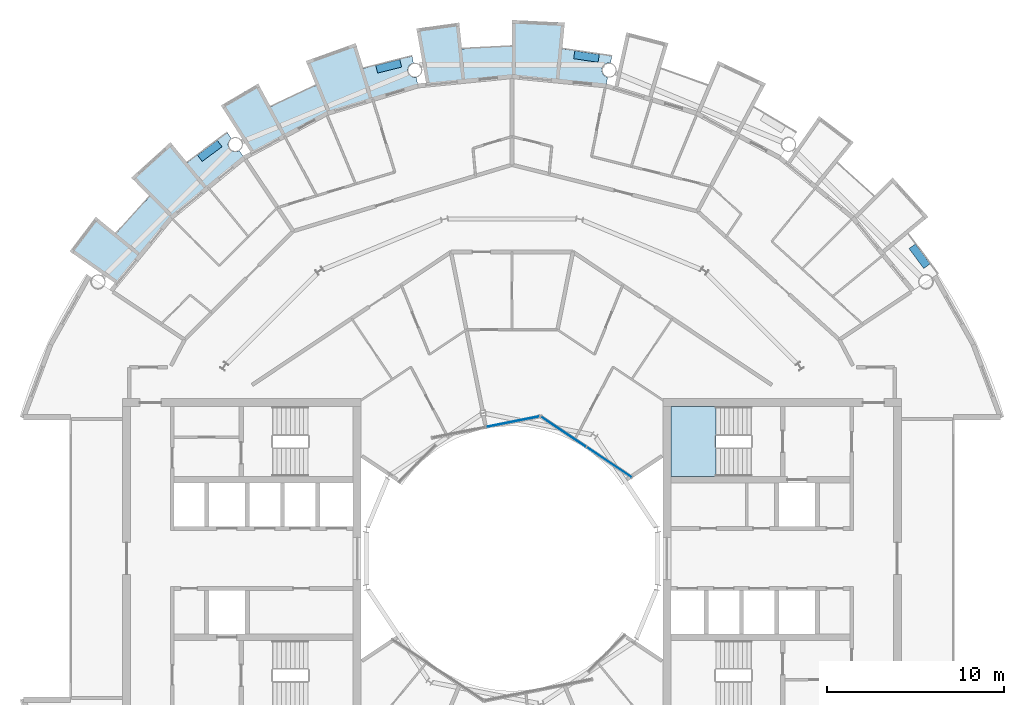
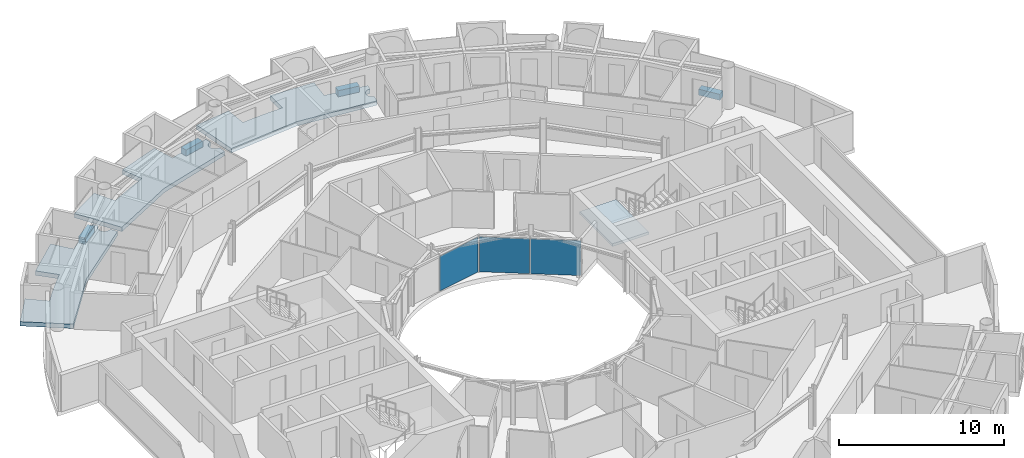
# One storey, part 13 of 28: 8 slabs, 3 plates, 3 elements without a shape of their own.
"""IFC4 building model written with IfcOpenShell, lengths in metres."""

from ifc_helpers import new_model, si_unit, direction, frame, origin, origin_2d, place, context, subcontext, project, spatial, polyline, rectangle, outline, extrude, material, layer, layer_set, type_object, element, aggregate, save


model = new_model("IFC4")

# Units and contexts
model_context = context("Model", 3, precision=1e-05, world=origin(), true_north=direction((0.0, 1.0)))
body_context = subcontext(model_context, "Body", "Model", "MODEL_VIEW")
ifc_project = project(units=[si_unit("LENGTHUNIT", "METRE"), si_unit("AREAUNIT", "SQUARE_METRE"), si_unit("VOLUMEUNIT", "CUBIC_METRE"), si_unit("PLANEANGLEUNIT", "RADIAN"), si_unit("MASSUNIT", "GRAM", prefix="KILO")], contexts=[model_context])

# Site, building, storey
site_placement = place(None, origin())
site = spatial("IfcSite", under=ifc_project, at=site_placement, CompositionType="ELEMENT")
building_placement = place(site_placement, origin())
building = spatial("IfcBuilding", under=site, at=building_placement, Name="Maasbend Ring Residences", CompositionType="ELEMENT")
storey_placement = place(building_placement, frame((0.0, 0.0, 196.300048828125)))
storey = spatial("IfcBuildingStorey", under=building, at=storey_placement, Name="L56", CompositionType="ELEMENT", Elevation=196.300048828125)

# Stair, slab
ifc_material_1 = material(Name="Concrete C40/50", Category="concrete")
stair_type = type_object("IfcStairType", Name="CORE STAIR 18 RISERS", PredefinedType="HALF_TURN_STAIR", material=ifc_material_1)
stair_placement = place(storey_placement, origin())
stair = element("IfcStair", 1, at=stair_placement, inside=storey, type_object=stair_type, Name="L56 Exit stair ST-E1", PredefinedType="HALF_TURN_STAIR")
ifc_material_2 = material(Name="Concrete C40/50", Category="concrete")
ifc_layer_1 = layer(ifc_material_2, 0.199951171875)
ifc_layer_set_1 = layer_set([ifc_layer_1], Name="Concrete C40/50")
slab_type_1 = type_object("IfcSlabType", Name="CORE STAIR LANDING 200", PredefinedType="LANDING", material=ifc_layer_set_1)
slab_1_placement = place(storey_placement, frame((0.0, 0.0, 1.324951171875)))
slab_1 = element("IfcSlab", 2, at=slab_1_placement, type_object=slab_type_1, Name="ST-E1 landing 1", PredefinedType="LANDING", context=body_context, shape_type="SweptSolid", body=[
    extrude(outline(polyline([(11.550048828125, 8.60009765625), (9.0, 8.60009765625), (9.0, 4.64990234375), (11.550048828125, 4.64990234375), (11.550048828125, 8.60009765625)])), origin(), (0.0, 0.0, 1.0), 0.199951171875),
])
aggregate(stair, [slab_1])

# Curtain wall, plates
ifc_material_3 = material(Name="Aluminium and clear glass", Category="aluminium")
ifc_layer_2 = layer(ifc_material_3, 0.179931640625)
ifc_layer_set_2 = layer_set([ifc_layer_2], Name="CW-W")
curtain_wall_type = type_object("IfcCurtainWallType", Name="CW-W", PredefinedType="NOTDEFINED", material=ifc_layer_set_2)
curtain_wall_1_placement = place(storey_placement, origin())
curtain_wall_1 = element("IfcCurtainWall", 3, at=curtain_wall_1_placement, inside=storey, type_object=curtain_wall_type, Name="Well curtain wall N1", PredefinedType="NOTDEFINED")
ifc_material_4 = material(Name="Glass clear laminated", Category="glass")
ifc_layer_3 = layer(ifc_material_4, 0.031982421875)
ifc_layer_set_3 = layer_set([ifc_layer_3], Name="CWP-W")
plate_type = type_object("IfcPlateType", Name="CWP-W", PredefinedType="CURTAIN_PANEL", material=ifc_layer_set_3)
plate_1_placement = place(storey_placement, frame((5.51123046875, 5.44580078125, 0.0), z_axis=(0.0, 0.0, 1.0), x_axis=(-0.831469612303, 0.55557023302, 0.0)))
plate_1 = element("IfcPlate", 4, at=plate_1_placement, type_object=plate_type, Name="Glass panel well face", PredefinedType="CURTAIN_PANEL", context=body_context, shape_type="SweptSolid", body=[
    extrude(rectangle(XDim=3.053955078125, YDim=0.031982421875, at=origin_2d()), origin(), (0.0, 0.0, 1.0), 2.580078125),
])
plate_2_placement = place(storey_placement, frame((2.922119140625, 7.17578125, 0.0), z_axis=(0.0, 0.0, 1.0), x_axis=(-0.831469612303, 0.55557023302, 0.0)))
plate_2 = element("IfcPlate", 5, at=plate_2_placement, type_object=plate_type, Name="Glass panel well face", PredefinedType="CURTAIN_PANEL", context=body_context, shape_type="SweptSolid", body=[
    extrude(rectangle(XDim=3.053955078125, YDim=0.031982421875, at=origin_2d()), origin(), (0.0, 0.0, 1.0), 2.580078125),
])
aggregate(curtain_wall_1, [plate_1, plate_2])

# Curtain wall, plate
curtain_wall_2_placement = place(storey_placement, origin())
curtain_wall_2 = element("IfcCurtainWall", 6, at=curtain_wall_2_placement, inside=storey, type_object=curtain_wall_type, Name="Well curtain wall N2", PredefinedType="NOTDEFINED")
plate_3_placement = place(storey_placement, frame((0.04638671875, 7.747802734375, 0.0), z_axis=(0.0, 0.0, 1.0), x_axis=(-0.980785280403, -0.195090322016, 0.0)))
plate_3 = element("IfcPlate", 7, at=plate_3_placement, type_object=plate_type, Name="Glass panel well face", PredefinedType="CURTAIN_PANEL", context=body_context, shape_type="SweptSolid", body=[
    extrude(rectangle(XDim=3.053955078125, YDim=0.031982421875, at=origin_2d()), origin(), (0.0, 0.0, 1.0), 2.580078125),
])
aggregate(curtain_wall_2, [plate_3])

# Slabs
ifc_material_5 = material(Name="Planting with climbing greenery")
ifc_layer_4 = layer(ifc_material_5, 0.449951171875)
ifc_layer_set_4 = layer_set([ifc_layer_4], Name="PLANTER-LG")
slab_type_2 = type_object("IfcSlabType", Name="PLANTER-LG", PredefinedType="USERDEFINED", material=ifc_layer_set_4)
slab_2_placement = place(storey_placement, frame((0.0, 0.0, -0.030029296875)))
element("IfcSlab", 8, at=slab_2_placement, inside=storey, type_object=slab_type_2, Name="Planter with climbing greenery 1", ObjectType="PLANTER", PredefinedType="USERDEFINED", context=body_context, shape_type="SweptSolid", body=[
    extrude(outline(polyline([(23.681884765625, 16.69189453125), (22.847900390625, 17.81689453125), (22.487060546875, 17.549072265625), (23.321044921875, 16.424072265625), (23.681884765625, 16.69189453125)])), origin(), (0.0, 0.0, 1.0), 0.449951171875),
])
slab_3_placement = place(storey_placement, frame((0.0, 0.0, -0.030029296875)))
element("IfcSlab", 9, at=slab_3_placement, inside=storey, type_object=slab_type_2, Name="Planter with climbing greenery 3", ObjectType="PLANTER", PredefinedType="USERDEFINED", context=body_context, shape_type="SweptSolid", body=[
    extrude(outline(polyline([(4.94189453125, 28.549072265625), (3.55810546875, 28.75390625), (3.491943359375, 28.30908203125), (4.8759765625, 28.10400390625), (4.94189453125, 28.549072265625)])), origin(), (0.0, 0.0, 1.0), 0.449951171875),
])
slab_4_placement = place(storey_placement, frame((0.0, 0.0, -0.030029296875)))
element("IfcSlab", 10, at=slab_4_placement, inside=storey, type_object=slab_type_2, Name="Planter with climbing greenery 4", ObjectType="PLANTER", PredefinedType="USERDEFINED", context=body_context, shape_type="SweptSolid", body=[
    extrude(outline(polyline([(-6.35888671875, 28.26708984375), (-7.717041015625, 27.927001953125), (-7.60791015625, 27.489990234375), (-6.25, 27.8310546875), (-6.35888671875, 28.26708984375)])), origin(), (0.0, 0.0, 1.0), 0.449951171875),
])
slab_5_placement = place(storey_placement, frame((0.0, 0.0, -0.030029296875)))
element("IfcSlab", 11, at=slab_5_placement, inside=storey, type_object=slab_type_2, Name="Planter with climbing greenery 5", ObjectType="PLANTER", PredefinedType="USERDEFINED", context=body_context, shape_type="SweptSolid", body=[
    extrude(outline(polyline([(-16.69189453125, 23.681884765625), (-17.81689453125, 22.847900390625), (-17.549072265625, 22.487060546875), (-16.424072265625, 23.321044921875), (-16.69189453125, 23.681884765625)])), origin(), (0.0, 0.0, 1.0), 0.449951171875),
])
ifc_material_6 = material(Name="Concrete C40/50", Category="concrete")
ifc_layer_5 = layer(ifc_material_6, 0.199951171875)
ifc_layer_set_5 = layer_set([ifc_layer_5], Name="Concrete C40/50")
slab_type_3 = type_object("IfcSlabType", Name="SL-LOGGIA", PredefinedType="FLOOR", material=ifc_layer_set_5)
slab_6_placement = place(storey_placement, frame((0.0, 0.0, -0.35009765625)))
element("IfcSlab", 12, at=slab_6_placement, inside=storey, type_object=slab_type_3, Name="Loggia floor 2", PredefinedType="FLOOR", context=body_context, shape_type="SweptSolid", body=[
    extrude(outline(polyline([(-13.6708984375, 25.575927734375), (-13.6708984375, 25.575927734375), (-13.6708984375, 25.575927734375), (-13.6708984375, 25.575927734375), (-13.6708984375, 25.575927734375), (-13.6708984375, 25.575927734375), (-13.6708984375, 25.575927734375), (-13.669921875, 25.575927734375), (-13.669921875, 25.575927734375), (-13.669921875, 25.575927734375), (-13.669921875, 25.575927734375), (-13.669921875, 25.575927734375), (-13.669921875, 25.575927734375), (-13.669921875, 25.575927734375), (-13.669921875, 25.575927734375), (-13.669921875, 25.575927734375), (-13.669921875, 25.575927734375), (-12.825927734375, 26.009033203125), (-12.825927734375, 26.009033203125), (-11.968994140625, 26.4150390625), (-11.968994140625, 26.4150390625), (-11.097900390625, 26.7919921875), (-11.097900390625, 26.7919921875), (-11.097900390625, 26.7919921875), (-11.097900390625, 26.7919921875), (-11.097900390625, 26.7919921875), (-11.097900390625, 26.7919921875), (-11.097900390625, 26.7919921875), (-11.097900390625, 26.79296875), (-11.097900390625, 26.79296875), (-11.097900390625, 26.79296875), (-11.097900390625, 26.79296875), (-11.097900390625, 26.79296875), (-11.097900390625, 26.79296875), (-11.097900390625, 26.79296875), (-11.097900390625, 26.79296875), (-11.097900390625, 26.79296875), (-11.097900390625, 26.79296875), (-11.672119140625, 28.177978515625), (-11.672119140625, 28.177978515625), (-11.672119140625, 28.177978515625), (-8.85400390625, 29.18701171875), (-8.85400390625, 29.18701171875), (-8.85400390625, 29.18701171875), (-8.41796875, 27.751953125), (-8.41796875, 27.751953125), (-8.41796875, 27.751953125), (-8.41796875, 27.751953125), (-8.41796875, 27.751953125), (-8.41796875, 27.751953125), (-8.41796875, 27.751953125), (-8.41796875, 27.7509765625), (-8.41796875, 27.7509765625), (-8.41796875, 27.7509765625), (-8.41796875, 27.7509765625), (-8.41796875, 27.7509765625), (-8.41796875, 27.7509765625), (-8.41796875, 27.7509765625), (-8.41796875, 27.7509765625), (-8.41796875, 27.7509765625), (-8.41796875, 27.7509765625), (-7.506103515625, 28.011962890625), (-7.506103515625, 28.011962890625), (-6.5849609375, 28.241943359375), (-6.5849609375, 28.241943359375), (-5.657958984375, 28.443115234375), (-5.657958984375, 28.443115234375), (-5.657958984375, 28.443115234375), (-5.5810546875, 28.056884765625), (-5.591064453125, 28.054931640625), (-5.60009765625, 28.052001953125), (-5.610107421875, 28.050048828125), (-5.6201171875, 28.047119140625), (-5.62890625, 28.0439453125), (-5.637939453125, 28.041015625), (-5.64794921875, 28.037109375), (-5.656982421875, 28.033935546875), (-5.666015625, 28.030029296875), (-5.675048828125, 28.02587890625), (-5.68408203125, 28.02099609375), (-5.693115234375, 28.01708984375), (-5.701904296875, 28.011962890625), (-5.7099609375, 28.007080078125), (-5.718994140625, 28.001953125), (-5.72705078125, 27.99609375), (-5.736083984375, 27.989990234375), (-5.743896484375, 27.985107421875), (-5.751953125, 27.97900390625), (-5.759033203125, 27.971923828125), (-5.76708984375, 27.966064453125), (-5.77392578125, 27.958984375), (-5.781982421875, 27.952880859375), (-5.7890625, 27.946044921875), (-5.7958984375, 27.93798828125), (-5.802978515625, 27.930908203125), (-5.80908203125, 27.924072265625), (-5.81591796875, 27.916015625), (-5.822021484375, 27.907958984375), (-5.827880859375, 27.89990234375), (-5.833984375, 27.89208984375), (-5.839111328125, 27.884033203125), (-5.844970703125, 27.8759765625), (-5.85009765625, 27.866943359375), (-5.85498046875, 27.85791015625), (-5.860107421875, 27.85009765625), (-5.864990234375, 27.841064453125), (-5.868896484375, 27.83203125), (-5.873046875, 27.822998046875), (-5.876953125, 27.81396484375), (-5.881103515625, 27.803955078125), (-5.884033203125, 27.794921875), (-5.886962890625, 27.785888671875), (-5.889892578125, 27.77587890625), (-5.89306640625, 27.76708984375), (-5.89599609375, 27.757080078125), (-5.89794921875, 27.7470703125), (-5.89990234375, 27.737060546875), (-5.902099609375, 27.72802734375), (-5.904052734375, 27.718017578125), (-5.905029296875, 27.7080078125), (-5.906005859375, 27.697998046875), (-5.906982421875, 27.68798828125), (-5.907958984375, 27.677978515625), (-5.907958984375, 27.66796875), (-5.907958984375, 27.657958984375), (-5.907958984375, 27.64794921875), (-5.907958984375, 27.637939453125), (-5.906982421875, 27.6279296875), (-5.906005859375, 27.617919921875), (-5.905029296875, 27.60791015625), (-5.904052734375, 27.597900390625), (-5.902099609375, 27.589111328125), (-5.89990234375, 27.5791015625), (-5.89794921875, 27.569091796875), (-5.89599609375, 27.55908203125), (-5.89306640625, 27.550048828125), (-5.889892578125, 27.5400390625), (-5.886962890625, 27.531005859375), (-5.884033203125, 27.52099609375), (-5.881103515625, 27.511962890625), (-5.876953125, 27.5029296875), (-5.873046875, 27.492919921875), (-5.868896484375, 27.48388671875), (-5.864990234375, 27.47509765625), (-5.860107421875, 27.466064453125), (-5.85498046875, 27.4580078125), (-5.85009765625, 27.448974609375), (-5.844970703125, 27.44091796875), (-5.839111328125, 27.431884765625), (-5.833984375, 27.424072265625), (-5.827880859375, 27.416015625), (-5.822021484375, 27.407958984375), (-5.81591796875, 27.39990234375), (-5.80908203125, 27.39306640625), (-5.802978515625, 27.385009765625), (-5.7958984375, 27.3779296875), (-5.7890625, 27.37109375), (-5.781982421875, 27.364013671875), (-5.77392578125, 27.35693359375), (-5.76708984375, 27.35009765625), (-5.759033203125, 27.343994140625), (-5.751953125, 27.337890625), (-5.743896484375, 27.33203125), (-5.736083984375, 27.325927734375), (-5.72705078125, 27.320068359375), (-5.718994140625, 27.31494140625), (-5.7099609375, 27.30908203125), (-5.701904296875, 27.303955078125), (-5.693115234375, 27.300048828125), (-5.68408203125, 27.294921875), (-5.675048828125, 27.291015625), (-5.666015625, 27.285888671875), (-5.656982421875, 27.282958984375), (-5.64794921875, 27.279052734375), (-5.637939453125, 27.27490234375), (-5.62890625, 27.27197265625), (-5.6201171875, 27.26904296875), (-5.610107421875, 27.26611328125), (-5.60009765625, 27.263916015625), (-5.591064453125, 27.260986328125), (-5.5810546875, 27.259033203125), (-5.571044921875, 27.258056640625), (-5.56103515625, 27.256103515625), (-5.551025390625, 27.2548828125), (-5.541015625, 27.25390625), (-5.531005859375, 27.2529296875), (-5.52099609375, 27.251953125), (-5.510986328125, 27.251953125), (-5.501953125, 27.251953125), (-5.491943359375, 27.251953125), (-5.48193359375, 27.251953125), (-5.471923828125, 27.2529296875), (-5.4619140625, 27.25390625), (-5.451904296875, 27.2548828125), (-5.44189453125, 27.256103515625), (-5.431884765625, 27.258056640625), (-5.422119140625, 27.259033203125), (-5.325927734375, 26.77490234375), (-5.325927734375, 26.77490234375), (-5.325927734375, 26.77490234375), (-7.886962890625, 25.9990234375), (-10.447021484375, 25.221923828125), (-10.447021484375, 25.221923828125), (-10.447021484375, 25.221923828125), (-12.806884765625, 23.9609375), (-14.73291015625, 22.930908203125), (-14.73291015625, 22.930908203125), (-14.73291015625, 22.930908203125), (-16.487060546875, 25.659912109375), (-16.487060546875, 25.659912109375), (-16.487060546875, 25.659912109375), (-14.3779296875, 26.89892578125), (-14.3779296875, 26.89892578125), (-14.3779296875, 26.89892578125), (-13.6708984375, 25.575927734375)])), origin(), (0.0, 0.0, 1.0), 0.320068359375),
])
slab_7_placement = place(storey_placement, frame((0.0, 0.0, -0.35009765625)))
element("IfcSlab", 13, at=slab_7_placement, inside=storey, type_object=slab_type_3, Name="Loggia floor 3", PredefinedType="FLOOR", context=body_context, shape_type="SweptSolid", body=[
    extrude(outline(polyline([(-2.843017578125, 28.861083984375), (-2.843017578125, 28.861083984375), (-2.843017578125, 28.861083984375), (-2.843017578125, 28.861083984375), (-2.842041015625, 28.861083984375), (-2.842041015625, 28.861083984375), (-2.842041015625, 28.861083984375), (-2.842041015625, 28.861083984375), (-2.842041015625, 28.861083984375), (-2.842041015625, 28.860107421875), (-2.842041015625, 28.860107421875), (-2.842041015625, 28.860107421875), (-2.842041015625, 28.860107421875), (-2.842041015625, 28.860107421875), (-2.842041015625, 28.860107421875), (-2.842041015625, 28.860107421875), (-2.842041015625, 28.860107421875), (-1.89697265625, 28.93798828125), (-1.89697265625, 28.93798828125), (-0.948974609375, 28.98388671875), (-0.948974609375, 28.98388671875), (0.0, 29.0), (0.0, 29.0), (0.0, 29.0), (0.0, 29.0), (0.0, 29.0), (0.0, 29.0), (0.0, 29.0), (0.0, 29.0), (0.0, 29.0), (0.0, 29.0), (0.0, 29.0), (0.0, 29.0), (0.0, 29.0), (0.0, 29.0), (0.0, 29.0), (0.0, 29.0), (0.0, 29.0), (0.0, 30.5), (0.0, 30.5), (0.0, 30.5), (2.989990234375, 30.35302734375), (2.989990234375, 30.35302734375), (2.989990234375, 30.35302734375), (2.843017578125, 28.861083984375), (2.843017578125, 28.861083984375), (2.843017578125, 28.861083984375), (2.843017578125, 28.861083984375), (2.843017578125, 28.861083984375), (2.843017578125, 28.861083984375), (2.843017578125, 28.861083984375), (2.843017578125, 28.861083984375), (2.843017578125, 28.860107421875), (2.843017578125, 28.860107421875), (2.843017578125, 28.860107421875), (2.843017578125, 28.860107421875), (2.843017578125, 28.860107421875), (2.843017578125, 28.860107421875), (2.843017578125, 28.860107421875), (2.843017578125, 28.860107421875), (2.843017578125, 28.860107421875), (3.784912109375, 28.751953125), (3.784912109375, 28.751953125), (4.72412109375, 28.613037109375), (4.72412109375, 28.613037109375), (5.657958984375, 28.443115234375), (5.657958984375, 28.443115234375), (5.657958984375, 28.443115234375), (5.5810546875, 28.056884765625), (5.5810546875, 28.056884765625), (5.571044921875, 28.05908203125), (5.56103515625, 28.06005859375), (5.551025390625, 28.06201171875), (5.541015625, 28.06298828125), (5.531005859375, 28.06298828125), (5.52099609375, 28.06396484375), (5.510986328125, 28.06396484375), (5.501953125, 28.06494140625), (5.491943359375, 28.06396484375), (5.48193359375, 28.06396484375), (5.471923828125, 28.06298828125), (5.4619140625, 28.06298828125), (5.451904296875, 28.06201171875), (5.44189453125, 28.06005859375), (5.431884765625, 28.05908203125), (5.422119140625, 28.056884765625), (5.412109375, 28.054931640625), (5.403076171875, 28.052001953125), (5.39306640625, 28.050048828125), (5.383056640625, 28.047119140625), (5.3740234375, 28.0439453125), (5.364990234375, 28.041015625), (5.35498046875, 28.037109375), (5.345947265625, 28.033935546875), (5.3369140625, 28.030029296875), (5.327880859375, 28.02587890625), (5.319091796875, 28.02099609375), (5.31005859375, 28.01708984375), (5.301025390625, 28.011962890625), (5.29296875, 28.007080078125), (5.283935546875, 28.001953125), (5.27587890625, 27.99609375), (5.26708984375, 27.989990234375), (5.259033203125, 27.985107421875), (5.2509765625, 27.97900390625), (5.243896484375, 27.971923828125), (5.236083984375, 27.966064453125), (5.22900390625, 27.958984375), (5.220947265625, 27.952880859375), (5.214111328125, 27.946044921875), (5.20703125, 27.93798828125), (5.199951171875, 27.930908203125), (5.194091796875, 27.924072265625), (5.18701171875, 27.916015625), (5.180908203125, 27.907958984375), (5.175048828125, 27.89990234375), (5.1689453125, 27.89208984375), (5.1640625, 27.884033203125), (5.157958984375, 27.8759765625), (5.153076171875, 27.866943359375), (5.14794921875, 27.85791015625), (5.14306640625, 27.85009765625), (5.137939453125, 27.841064453125), (5.134033203125, 27.83203125), (5.1298828125, 27.822998046875), (5.1259765625, 27.81396484375), (5.1220703125, 27.803955078125), (5.118896484375, 27.794921875), (5.115966796875, 27.785888671875), (5.113037109375, 27.77587890625), (5.110107421875, 27.76708984375), (5.10693359375, 27.757080078125), (5.10498046875, 27.7470703125), (5.10302734375, 27.737060546875), (5.10107421875, 27.72802734375), (5.09912109375, 27.718017578125), (5.097900390625, 27.7080078125), (5.096923828125, 27.697998046875), (5.095947265625, 27.68798828125), (5.094970703125, 27.677978515625), (5.094970703125, 27.66796875), (5.094970703125, 27.657958984375), (5.094970703125, 27.64794921875), (5.094970703125, 27.637939453125), (5.095947265625, 27.6279296875), (5.096923828125, 27.617919921875), (5.097900390625, 27.60791015625), (5.09912109375, 27.597900390625), (5.10107421875, 27.589111328125), (5.10302734375, 27.5791015625), (5.10498046875, 27.569091796875), (5.10693359375, 27.55908203125), (5.110107421875, 27.550048828125), (5.113037109375, 27.5400390625), (5.115966796875, 27.531005859375), (5.118896484375, 27.52099609375), (5.1220703125, 27.511962890625), (5.1259765625, 27.5029296875), (5.1298828125, 27.492919921875), (5.134033203125, 27.48388671875), (5.137939453125, 27.47509765625), (5.14306640625, 27.466064453125), (5.14794921875, 27.4580078125), (5.153076171875, 27.448974609375), (5.157958984375, 27.44091796875), (5.1640625, 27.431884765625), (5.1689453125, 27.424072265625), (5.175048828125, 27.416015625), (5.180908203125, 27.407958984375), (5.18701171875, 27.39990234375), (5.194091796875, 27.39306640625), (5.199951171875, 27.385009765625), (5.20703125, 27.3779296875), (5.214111328125, 27.37109375), (5.220947265625, 27.364013671875), (5.22900390625, 27.35693359375), (5.236083984375, 27.35009765625), (5.243896484375, 27.343994140625), (5.2509765625, 27.337890625), (5.259033203125, 27.33203125), (5.26708984375, 27.325927734375), (5.27587890625, 27.320068359375), (5.283935546875, 27.31494140625), (5.29296875, 27.30908203125), (5.301025390625, 27.303955078125), (5.31005859375, 27.300048828125), (5.319091796875, 27.294921875), (5.327880859375, 27.291015625), (5.3369140625, 27.285888671875), (5.345947265625, 27.282958984375), (5.35498046875, 27.279052734375), (5.364990234375, 27.27490234375), (5.3740234375, 27.27197265625), (5.383056640625, 27.26904296875), (5.39306640625, 27.26611328125), (5.403076171875, 27.263916015625), (5.412109375, 27.260986328125), (5.422119140625, 27.259033203125), (5.422119140625, 27.259033203125), (5.325927734375, 26.77490234375), (5.325927734375, 26.77490234375), (5.325927734375, 26.77490234375), (2.6630859375, 27.0380859375), (0.0, 27.300048828125), (0.0, 27.300048828125), (0.0, 27.300048828125), (-2.6630859375, 27.0380859375), (-4.8359375, 26.823974609375), (-4.8359375, 26.823974609375), (-4.8359375, 26.823974609375), (-5.412109375, 30.01611328125), (-5.412109375, 30.01611328125), (-5.412109375, 30.01611328125), (-2.989990234375, 30.35302734375), (-2.989990234375, 30.35302734375), (-2.989990234375, 30.35302734375), (-2.843017578125, 28.861083984375)])), origin(), (0.0, 0.0, 1.0), 0.320068359375),
])
slab_8_placement = place(storey_placement, frame((0.0, 0.0, -0.35009765625)))
element("IfcSlab", 14, at=slab_8_placement, inside=storey, type_object=slab_type_3, Name="Loggia floor 5", PredefinedType="FLOOR", context=body_context, shape_type="SweptSolid", body=[
    extrude(outline(polyline([(-22.41796875, 18.39794921875), (-22.41796875, 18.39794921875), (-22.41796875, 18.39794921875), (-22.41796875, 18.39794921875), (-22.41796875, 18.39794921875), (-22.4169921875, 18.39794921875), (-22.4169921875, 18.39794921875), (-22.4169921875, 18.39794921875), (-22.4169921875, 18.39794921875), (-22.4169921875, 18.39794921875), (-22.4169921875, 18.39794921875), (-22.4169921875, 18.39794921875), (-22.4169921875, 18.39794921875), (-22.4169921875, 18.39794921875), (-22.4169921875, 18.39794921875), (-22.4169921875, 18.39794921875), (-22.4169921875, 18.39794921875), (-21.802978515625, 19.12109375), (-21.802978515625, 19.12109375), (-21.166015625, 19.823974609375), (-21.166015625, 19.823974609375), (-20.506103515625, 20.506103515625), (-20.506103515625, 20.506103515625), (-20.506103515625, 20.506103515625), (-20.506103515625, 20.506103515625), (-20.506103515625, 20.506103515625), (-20.506103515625, 20.506103515625), (-20.506103515625, 20.506103515625), (-20.506103515625, 20.506103515625), (-20.506103515625, 20.506103515625), (-20.506103515625, 20.506103515625), (-20.506103515625, 20.506103515625), (-20.506103515625, 20.506103515625), (-20.506103515625, 20.506103515625), (-20.506103515625, 20.506103515625), (-20.506103515625, 20.506103515625), (-20.506103515625, 20.506103515625), (-20.506103515625, 20.506103515625), (-21.56689453125, 21.56689453125), (-21.56689453125, 21.56689453125), (-21.56689453125, 21.56689453125), (-19.34912109375, 23.576904296875), (-19.34912109375, 23.576904296875), (-19.34912109375, 23.576904296875), (-18.39794921875, 22.41796875), (-18.39794921875, 22.41796875), (-18.39794921875, 22.41796875), (-18.39794921875, 22.41796875), (-18.39794921875, 22.41796875), (-18.39794921875, 22.41796875), (-18.39697265625, 22.41796875), (-18.39697265625, 22.41796875), (-18.39697265625, 22.41796875), (-18.39697265625, 22.41796875), (-18.39697265625, 22.41796875), (-18.39697265625, 22.41796875), (-18.39697265625, 22.41796875), (-18.39697265625, 22.41796875), (-18.39697265625, 22.41796875), (-18.39697265625, 22.41796875), (-18.39697265625, 22.41796875), (-17.654052734375, 23.007080078125), (-17.654052734375, 23.007080078125), (-16.89208984375, 23.572998046875), (-16.89208984375, 23.572998046875), (-16.112060546875, 24.113037109375), (-16.112060546875, 24.113037109375), (-16.112060546875, 24.113037109375), (-15.89306640625, 23.784912109375), (-15.89306640625, 23.784912109375), (-15.90087890625, 23.780029296875), (-15.908935546875, 23.77392578125), (-15.9169921875, 23.76806640625), (-15.925048828125, 23.761962890625), (-15.93310546875, 23.7548828125), (-15.93994140625, 23.7490234375), (-15.947021484375, 23.741943359375), (-15.955078125, 23.735107421875), (-15.9619140625, 23.72802734375), (-15.968017578125, 23.719970703125), (-15.97509765625, 23.712890625), (-15.98095703125, 23.705078125), (-15.988037109375, 23.697021484375), (-15.993896484375, 23.68994140625), (-15.9990234375, 23.680908203125), (-16.0048828125, 23.673095703125), (-16.010986328125, 23.6650390625), (-16.01611328125, 23.656005859375), (-16.02099609375, 23.64794921875), (-16.02587890625, 23.638916015625), (-16.030029296875, 23.6298828125), (-16.034912109375, 23.62109375), (-16.0390625, 23.612060546875), (-16.04296875, 23.60302734375), (-16.0458984375, 23.593994140625), (-16.050048828125, 23.583984375), (-16.052978515625, 23.574951171875), (-16.055908203125, 23.56494140625), (-16.05908203125, 23.555908203125), (-16.06103515625, 23.5458984375), (-16.06396484375, 23.535888671875), (-16.06591796875, 23.527099609375), (-16.068115234375, 23.51708984375), (-16.069091796875, 23.507080078125), (-16.071044921875, 23.4970703125), (-16.072021484375, 23.487060546875), (-16.072021484375, 23.47705078125), (-16.072998046875, 23.467041015625), (-16.072998046875, 23.45703125), (-16.073974609375, 23.447021484375), (-16.072998046875, 23.43701171875), (-16.072998046875, 23.427001953125), (-16.072021484375, 23.4169921875), (-16.072021484375, 23.407958984375), (-16.071044921875, 23.39794921875), (-16.069091796875, 23.387939453125), (-16.068115234375, 23.3779296875), (-16.06591796875, 23.367919921875), (-16.06396484375, 23.35791015625), (-16.06103515625, 23.34912109375), (-16.05908203125, 23.339111328125), (-16.055908203125, 23.3291015625), (-16.052978515625, 23.320068359375), (-16.050048828125, 23.31005859375), (-16.0458984375, 23.301025390625), (-16.04296875, 23.2919921875), (-16.0390625, 23.282958984375), (-16.034912109375, 23.27392578125), (-16.030029296875, 23.264892578125), (-16.02587890625, 23.256103515625), (-16.02099609375, 23.2470703125), (-16.01611328125, 23.238037109375), (-16.010986328125, 23.22998046875), (-16.0048828125, 23.221923828125), (-15.9990234375, 23.212890625), (-15.993896484375, 23.205078125), (-15.988037109375, 23.197021484375), (-15.98095703125, 23.18994140625), (-15.97509765625, 23.181884765625), (-15.968017578125, 23.174072265625), (-15.9619140625, 23.1669921875), (-15.955078125, 23.159912109375), (-15.947021484375, 23.153076171875), (-15.93994140625, 23.14599609375), (-15.93310546875, 23.139892578125), (-15.925048828125, 23.133056640625), (-15.9169921875, 23.126953125), (-15.908935546875, 23.12109375), (-15.90087890625, 23.114990234375), (-15.89306640625, 23.10888671875), (-15.885009765625, 23.10400390625), (-15.8759765625, 23.09912109375), (-15.866943359375, 23.093994140625), (-15.85888671875, 23.089111328125), (-15.85009765625, 23.083984375), (-15.841064453125, 23.080078125), (-15.83203125, 23.075927734375), (-15.822998046875, 23.072021484375), (-15.81298828125, 23.068115234375), (-15.803955078125, 23.06494140625), (-15.794921875, 23.06103515625), (-15.784912109375, 23.05810546875), (-15.77587890625, 23.055908203125), (-15.76611328125, 23.052978515625), (-15.756103515625, 23.051025390625), (-15.74609375, 23.049072265625), (-15.737060546875, 23.047119140625), (-15.72705078125, 23.044921875), (-15.717041015625, 23.0439453125), (-15.70703125, 23.04296875), (-15.697021484375, 23.0419921875), (-15.68701171875, 23.041015625), (-15.677001953125, 23.041015625), (-15.6669921875, 23.041015625), (-15.656982421875, 23.041015625), (-15.64697265625, 23.041015625), (-15.636962890625, 23.0419921875), (-15.626953125, 23.04296875), (-15.616943359375, 23.0439453125), (-15.60693359375, 23.044921875), (-15.597900390625, 23.047119140625), (-15.587890625, 23.049072265625), (-15.577880859375, 23.051025390625), (-15.568115234375, 23.052978515625), (-15.55908203125, 23.055908203125), (-15.549072265625, 23.05810546875), (-15.5400390625, 23.06103515625), (-15.530029296875, 23.06494140625), (-15.52099609375, 23.068115234375), (-15.511962890625, 23.072021484375), (-15.501953125, 23.075927734375), (-15.492919921875, 23.080078125), (-15.48388671875, 23.083984375), (-15.47509765625, 23.089111328125), (-15.467041015625, 23.093994140625), (-15.4580078125, 23.09912109375), (-15.449951171875, 23.10400390625), (-15.44091796875, 23.10888671875), (-15.44091796875, 23.10888671875), (-15.1669921875, 22.698974609375), (-15.1669921875, 22.698974609375), (-15.1669921875, 22.698974609375), (-17.236083984375, 21.001953125), (-19.303955078125, 19.303955078125), (-19.303955078125, 19.303955078125), (-19.303955078125, 19.303955078125), (-21.001953125, 17.236083984375), (-22.386962890625, 15.547119140625), (-22.386962890625, 15.547119140625), (-22.386962890625, 15.547119140625), (-25.051025390625, 17.39794921875), (-25.051025390625, 17.39794921875), (-25.051025390625, 17.39794921875), (-23.576904296875, 19.34912109375), (-23.576904296875, 19.34912109375), (-23.576904296875, 19.34912109375), (-22.41796875, 18.39794921875)])), origin(), (0.0, 0.0, 1.0), 0.320068359375),
])

save(model, "model.ifc")
